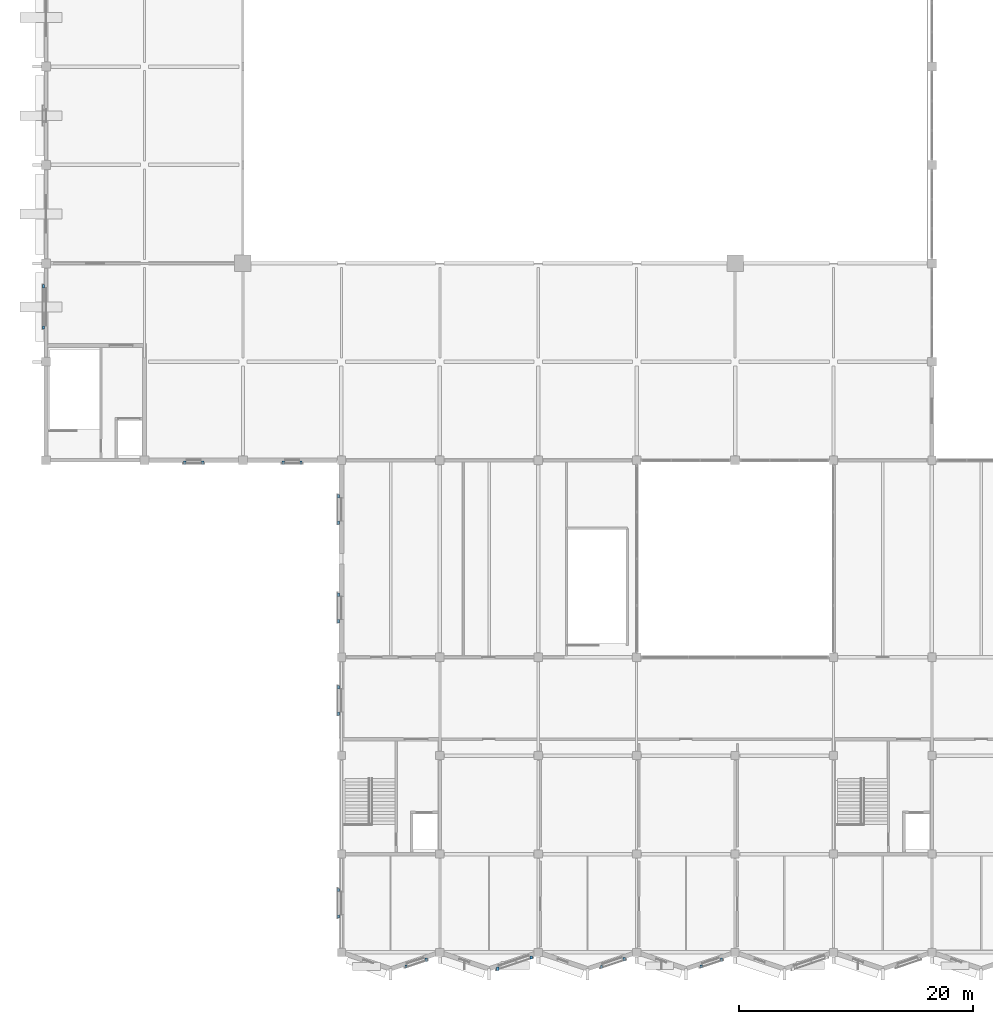
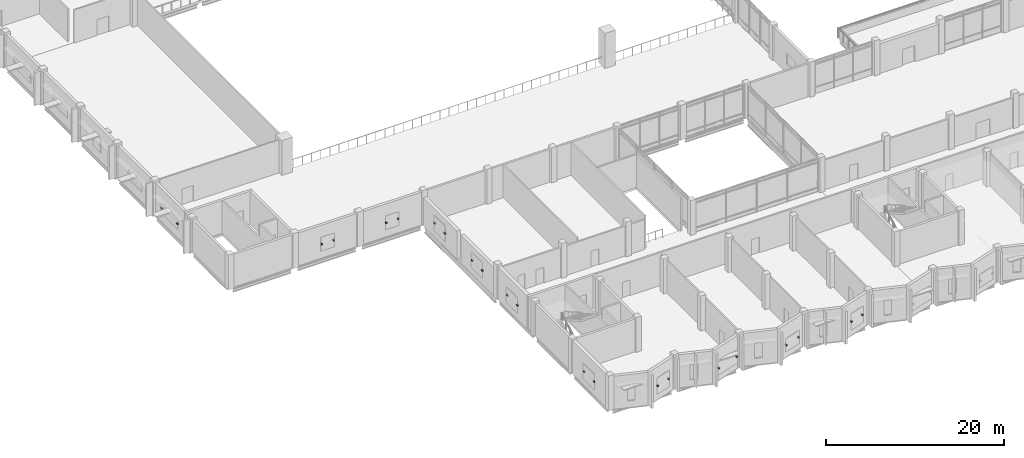
# One storey, part 94 of 110: 22 discrete accessories.
"""IFC4 building model written with IfcOpenShell, lengths in metres."""

from ifc_helpers import new_model, si_unit, direction, frame, origin, origin_2d, place, context, subcontext, project, spatial, rectangle, extrude, material, type_object, element, save


model = new_model("IFC4")

# Units and contexts
model_context = context("Model", 3, precision=1e-05, world=origin(), true_north=direction((0.0, 1.0)))
body_context = subcontext(model_context, "Body", "Model", "MODEL_VIEW")
ifc_project = project(units=[si_unit("LENGTHUNIT", "METRE"), si_unit("AREAUNIT", "SQUARE_METRE"), si_unit("VOLUMEUNIT", "CUBIC_METRE"), si_unit("PLANEANGLEUNIT", "RADIAN"), si_unit("MASSUNIT", "GRAM", prefix="KILO")], contexts=[model_context])

# Site, building, storey
site_placement = place(None, origin())
site = spatial("IfcSite", under=ifc_project, at=site_placement, CompositionType="ELEMENT")
building_placement = place(site_placement, origin())
building = spatial("IfcBuilding", under=site, at=building_placement, Name="Qawsi Khor Wholesale Market", CompositionType="ELEMENT")
storey_placement = place(building_placement, frame((0.0, 0.0, 11.39990234375)))
storey = spatial("IfcBuildingStorey", under=building, at=storey_placement, Name="L02", CompositionType="ELEMENT", Elevation=11.39990234375)

# Discrete accessories
ifc_material = material(Name="Steel S355", Category="steel")
discrete_accessory_type = type_object("IfcDiscreteAccessoryType", Name="Screen Fixing Bracket Steel S355", PredefinedType="BRACKET", material=ifc_material)
for number, where, z_axis, x_axis, name in (
    (1, (32.43505859375, -0.62548828125, 1.875), (0.0, 0.0, 1.0), (1.0, 0.0, 0.0), "Screen bracket 021-1"),
    (2, (30.70849609375, -1.201171875, 1.875), (0.0, 0.0, 1.0), (1.0, 0.0, 0.0), "Screen bracket 021-2"),
    (3, (41.404296875, -0.435791015625, 1.67529296875), (0.0, 0.0, 1.0), (1.0, 0.0, 0.0), "Screen bracket 022-1"),
    (4, (38.539306640625, -1.390869140625, 1.67529296875), (0.0, 0.0, 1.0), (1.0, 0.0, 0.0), "Screen bracket 022-2"),
    (5, (49.33935546875, -0.5908203125, 1.64990234375), (0.0, 0.0, 1.0), (1.0, 0.0, 0.0), "Screen bracket 023-1"),
    (6, (47.404052734375, -1.23583984375, 1.64990234375), (0.0, 0.0, 1.0), (1.0, 0.0, 0.0), "Screen bracket 023-2"),
    (7, (57.635009765625, -0.62548828125, 1.875), (0.0, 0.0, 1.0), (1.0, 0.0, 0.0), "Screen bracket 024-1"),
    (8, (55.908447265625, -1.201171875, 1.875), (0.0, 0.0, 1.0), (1.0, 0.0, 0.0), "Screen bracket 024-2"),
    (9, (24.945068359375, 3.06494140625, 1.875), (0.0, 0.0, 1.0), (1.0, 0.0, 0.0), "Screen bracket 060-1"),
    (10, (24.945068359375, 5.3349609375, 1.875), (0.0, 0.0, 1.0), (1.0, 0.0, 0.0), "Screen bracket 060-2"),
    (11, (24.945068359375, 20.364990234375, 1.875), (0.0, 0.0, 1.0), (1.0, 0.0, 0.0), "Screen bracket 061-1"),
    (12, (24.945068359375, 22.635009765625, 1.875), (0.0, 0.0, 1.0), (1.0, 0.0, 0.0), "Screen bracket 061-2"),
    (13, (24.945068359375, 28.264892578125, 1.875), (0.0, 0.0, 1.0), (1.0, 0.0, 0.0), "Screen bracket 062-1"),
    (14, (24.945068359375, 30.534912109375, 1.875), (0.0, 0.0, 1.0), (1.0, 0.0, 0.0), "Screen bracket 062-2"),
    (15, (24.945068359375, 36.6650390625, 1.875), (0.0, 0.0, 1.0), (1.0, 0.0, 0.0), "Screen bracket 063-1"),
    (16, (24.945068359375, 38.93505859375, 1.875), (0.0, 0.0, 1.0), (1.0, 0.0, 0.0), "Screen bracket 063-2"),
    (17, (-0.215087890625, 53.324951171875, 1.89990234375), (0.0, 0.0, 1.0), (1.0, 0.0, 0.0), "Screen bracket 080-1"),
    (18, (-0.215087890625, 56.844970703125, 1.89990234375), (0.0, 0.0, 1.0), (1.0, 0.0, 0.0), "Screen bracket 080-2"),
    (19, (13.360107421875, 41.784912109375, 1.89990234375), (0.0, 0.0, 1.0), (1.0, 0.0, 0.0), "Screen bracket 083-1"),
    (20, (11.840087890625, 41.784912109375, 1.89990234375), (0.0, 0.0, 1.0), (1.0, 0.0, 0.0), "Screen bracket 083-2"),
    (21, (21.760009765625, 41.784912109375, 1.89990234375), (0.0, 0.0, 1.0), (1.0, 0.0, 0.0), "Screen bracket 084-1"),
    (22, (20.239990234375, 41.784912109375, 1.89990234375), (0.0, 0.0, 1.0), (1.0, 0.0, 0.0), "Screen bracket 084-2"),
):
    element("IfcDiscreteAccessory", number, at=place(storey_placement, frame(where, z_axis=z_axis, x_axis=x_axis)), inside=storey, type_object=discrete_accessory_type, Name=name, PredefinedType="BRACKET", context=body_context, shape_type="SweptSolid", body=[
        extrude(rectangle(XDim=0.199951171875, YDim=0.280029296875, at=origin_2d()), origin(), (0.0, 0.0, 1.0), 0.199951171875),
    ])

save(model, "model.ifc")
